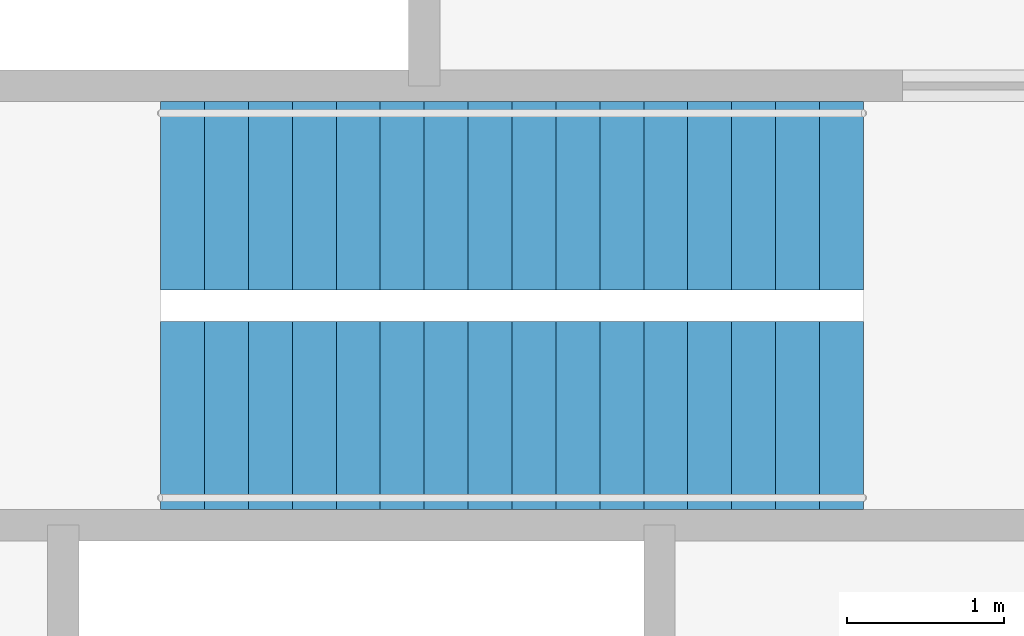
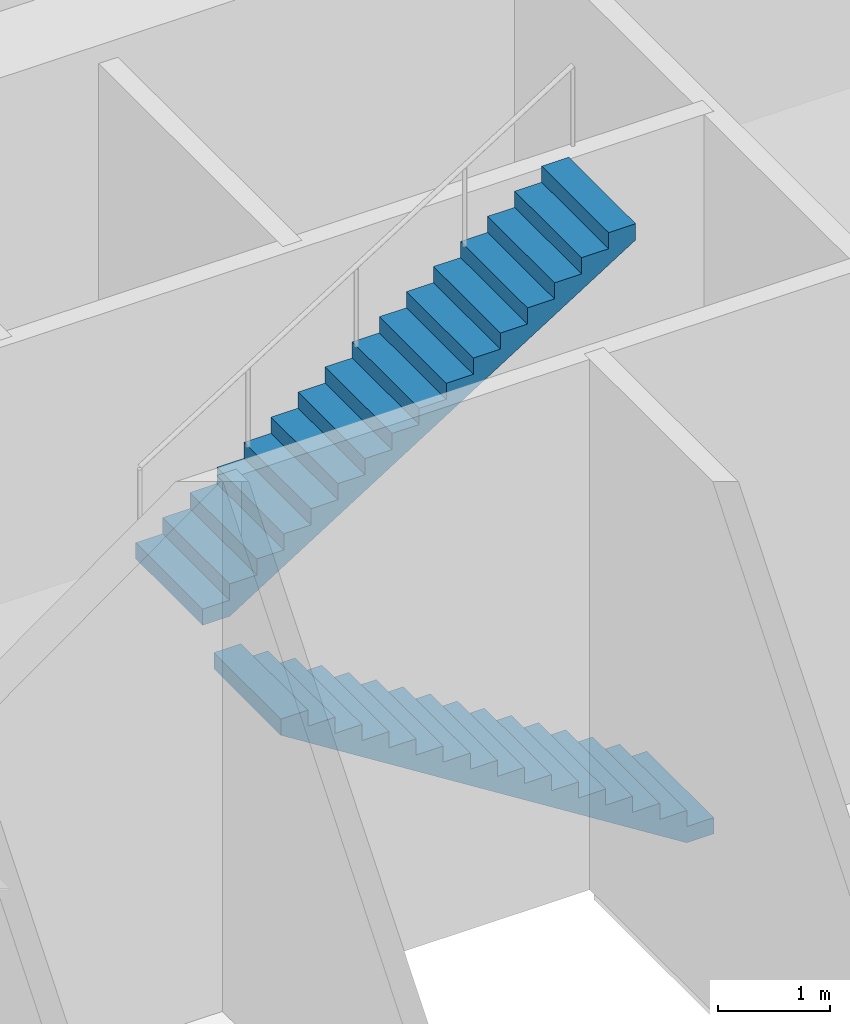
# One storey, part 13 of 20: 2 stair flights, 1 element without a shape of its own.
"""IFC4 building model written with IfcOpenShell, lengths in metres."""

from ifc_helpers import new_model, si_unit, direction, frame, origin, place, context, subcontext, project, spatial, polyline, outline, extrude, material, type_object, element, aggregate, save


model = new_model("IFC4")

# Units and contexts
model_context = context("Model", 3, precision=1e-05, world=origin(), true_north=direction((0.0, 1.0)))
body_context = subcontext(model_context, "Body", "Model", "MODEL_VIEW")
ifc_project = project(units=[si_unit("LENGTHUNIT", "METRE"), si_unit("AREAUNIT", "SQUARE_METRE"), si_unit("VOLUMEUNIT", "CUBIC_METRE"), si_unit("PLANEANGLEUNIT", "RADIAN"), si_unit("MASSUNIT", "GRAM", prefix="KILO")], contexts=[model_context])

# Site, building, storey
site_placement = place(None, origin())
site = spatial("IfcSite", under=ifc_project, at=site_placement, CompositionType="ELEMENT")
building_placement = place(site_placement, origin())
building = spatial("IfcBuilding", under=site, at=building_placement, Name="Fenwick Lantern Interchange", CompositionType="ELEMENT")
storey_placement = place(building_placement, frame((0.0, 0.0, 239.800048828125)))
storey = spatial("IfcBuildingStorey", under=building, at=storey_placement, Name="L56", CompositionType="ELEMENT", Elevation=239.800048828125)

# Stair, stair flights
ifc_material = material(Name="Precast concrete f'c 35 MPa", Category="concrete")
stair_type = type_object("IfcStairType", Name="EXIT STAIR 1200", PredefinedType="HALF_TURN_STAIR", material=ifc_material)
stair_placement = place(storey_placement, origin())
stair = element("IfcStair", 1, at=stair_placement, inside=storey, type_object=stair_type, Name="Exit stair ST2", PredefinedType="HALF_TURN_STAIR")
stair_flight_type = type_object("IfcStairFlightType", Name="STAIR FLIGHT 1200", PredefinedType="STRAIGHT", material=ifc_material)
stair_flight_1_placement = place(storey_placement, frame((28.199951171875, 30.699951171875, 0.0), z_axis=(0.0, 0.0, 1.0), x_axis=(-1.0, 0.0, 0.0)))
stair_flight_1 = element("IfcStairFlight", 2, at=stair_flight_1_placement, type_object=stair_flight_type, Name="ST2 flight 1", NumberOfRisers=17, NumberOfTreads=16, PredefinedType="STRAIGHT", RiserHeight=0.176470588, TreadLength=0.28, context=body_context, shape_type="SweptSolid", body=[
    extrude(outline(polyline([(0.0, 0.0), (0.0, 0.176513671875), (0.280029296875, 0.176513671875), (0.280029296875, 0.35302734375), (0.56005859375, 0.35302734375), (0.56005859375, 0.529296875), (0.840087890625, 0.529296875), (0.840087890625, 0.705810546875), (1.1201171875, 0.705810546875), (1.1201171875, 0.88232421875), (1.39990234375, 0.88232421875), (1.39990234375, 1.058837890625), (1.679931640625, 1.058837890625), (1.679931640625, 1.2353515625), (1.9599609375, 1.2353515625), (1.9599609375, 1.411865234375), (2.239990234375, 1.411865234375), (2.239990234375, 1.588134765625), (2.52001953125, 1.588134765625), (2.52001953125, 1.7646484375), (2.800048828125, 1.7646484375), (2.800048828125, 1.941162109375), (3.080078125, 1.941162109375), (3.080078125, 2.11767578125), (3.360107421875, 2.11767578125), (3.360107421875, 2.294189453125), (3.639892578125, 2.294189453125), (3.639892578125, 2.470703125), (3.919921875, 2.470703125), (3.919921875, 2.64697265625), (4.199951171875, 2.64697265625), (4.199951171875, 2.823486328125), (4.47998046875, 2.823486328125), (4.47998046875, 3.0), (4.47998046875, 2.646240234375), (0.28125, 0.0), (0.0, 0.0)])), frame((0.0, 0.60009765625, 0.0), z_axis=(0.0, -1.0, 0.0), x_axis=(1.0, 0.0, 0.0)), (0.0, 0.0, 1.0), 1.199951171875),
])
stair_flight_2_placement = place(storey_placement, frame((23.719970703125, 32.10009765625, 3.0), z_axis=(0.0, 0.0, 1.0), x_axis=(1.0, 0.0, 0.0)))
stair_flight_2 = element("IfcStairFlight", 3, at=stair_flight_2_placement, type_object=stair_flight_type, Name="ST2 flight 2", NumberOfRisers=17, NumberOfTreads=16, PredefinedType="STRAIGHT", RiserHeight=0.176470588, TreadLength=0.28, context=body_context, shape_type="SweptSolid", body=[
    extrude(outline(polyline([(0.0, 0.0), (0.0, 0.176513671875), (0.280029296875, 0.176513671875), (0.280029296875, 0.35302734375), (0.56005859375, 0.35302734375), (0.56005859375, 0.529296875), (0.840087890625, 0.529296875), (0.840087890625, 0.705810546875), (1.1201171875, 0.705810546875), (1.1201171875, 0.88232421875), (1.39990234375, 0.88232421875), (1.39990234375, 1.058837890625), (1.679931640625, 1.058837890625), (1.679931640625, 1.2353515625), (1.9599609375, 1.2353515625), (1.9599609375, 1.411865234375), (2.239990234375, 1.411865234375), (2.239990234375, 1.588134765625), (2.52001953125, 1.588134765625), (2.52001953125, 1.7646484375), (2.800048828125, 1.7646484375), (2.800048828125, 1.941162109375), (3.080078125, 1.941162109375), (3.080078125, 2.11767578125), (3.360107421875, 2.11767578125), (3.360107421875, 2.294189453125), (3.639892578125, 2.294189453125), (3.639892578125, 2.470703125), (3.919921875, 2.470703125), (3.919921875, 2.64697265625), (4.199951171875, 2.64697265625), (4.199951171875, 2.823486328125), (4.47998046875, 2.823486328125), (4.47998046875, 3.0), (4.47998046875, 2.646240234375), (0.28125, 0.0), (0.0, 0.0)])), frame((0.0, 0.60009765625, 0.0), z_axis=(0.0, -1.0, 0.0), x_axis=(1.0, 0.0, 0.0)), (0.0, 0.0, 1.0), 1.199951171875),
])
aggregate(stair, [stair_flight_1, stair_flight_2])

save(model, "model.ifc")
